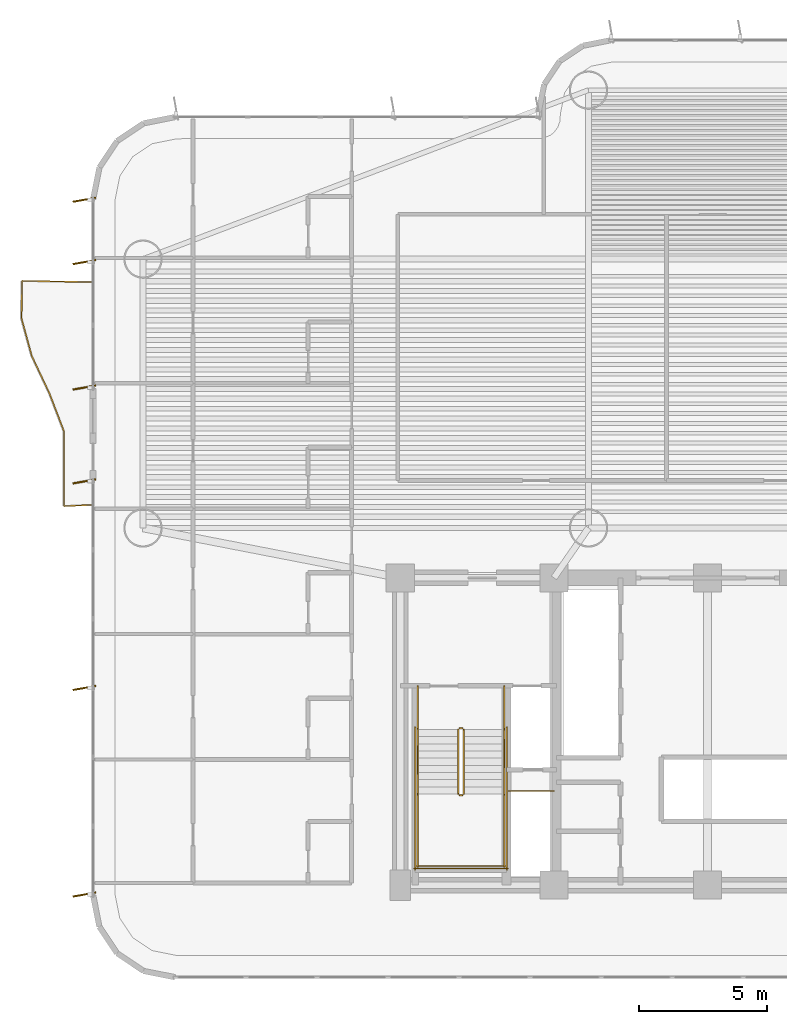
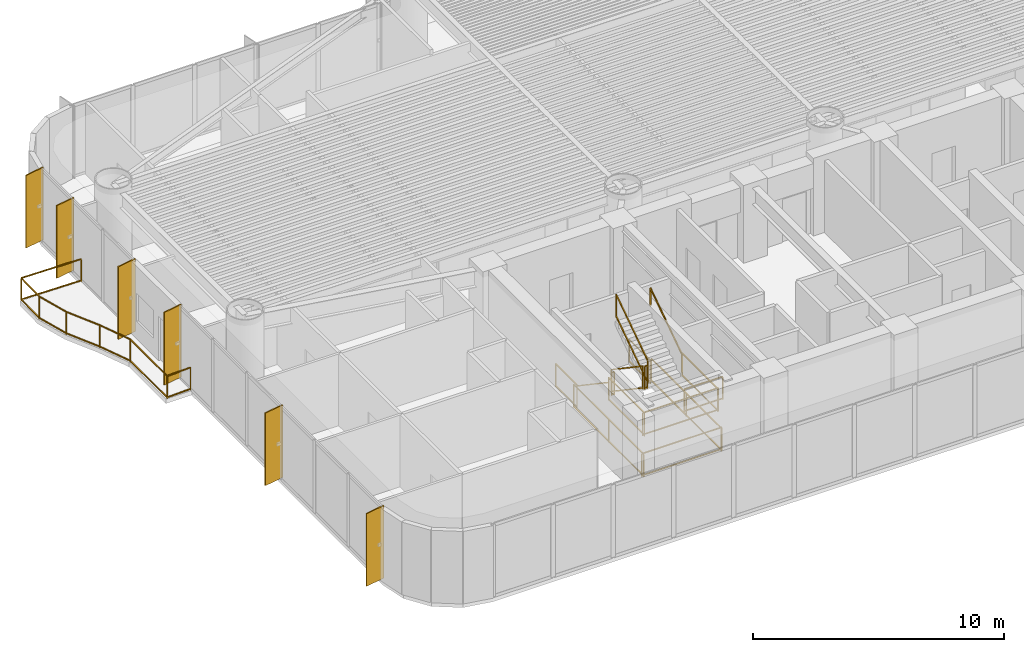
# One storey, part 16 of 19: 16 railings, 6 shading devices.
"""IFC4 building model written with IfcOpenShell, lengths in metres."""

from ifc_helpers import new_model, si_unit, direction, frame, origin, origin_2d, place, context, subcontext, project, spatial, rectangle, extrude, source, transform, mapped, material, layer, layer_set, material_profile, profile_set, type_object, element, save


model = new_model("IFC4")

# Units and contexts
model_context = context("Model", 3, precision=1e-05, world=origin(), true_north=direction((0.0, 1.0)))
body_context = subcontext(model_context, "Body", "Model", "MODEL_VIEW")
ifc_project = project(units=[si_unit("LENGTHUNIT", "METRE"), si_unit("AREAUNIT", "SQUARE_METRE"), si_unit("VOLUMEUNIT", "CUBIC_METRE"), si_unit("PLANEANGLEUNIT", "RADIAN"), si_unit("MASSUNIT", "GRAM", prefix="KILO")], contexts=[model_context])

# Site, building, storey
site_placement = place(None, origin())
site = spatial("IfcSite", under=ifc_project, at=site_placement, CompositionType="ELEMENT")
building_placement = place(site_placement, origin())
building = spatial("IfcBuilding", under=site, at=building_placement, Name="Brelvock Crest Care Tower", CompositionType="ELEMENT")
storey_placement = place(building_placement, frame((0.0, 0.0, 68.580078125)))
storey = spatial("IfcBuildingStorey", under=building, at=storey_placement, Name="L17", CompositionType="ELEMENT", Elevation=68.580078125)

# Railings
ifc_material_1 = material(Name="Dark Glass Double Glazed Low-E", Category="glass")
ifc_layer_1 = layer(ifc_material_1, 0.06005859375, Name="RL-BAL1")
ifc_layer_set_1 = layer_set([ifc_layer_1], Name="Dark Glass Double Glazed Low-E")
railing_type_1 = type_object("IfcRailingType", Name="RL-BAL1", PredefinedType="BALUSTRADE", material=ifc_layer_set_1)
railing_1_placement = place(storey_placement, frame((11.9599609375, 20.85009765625, 0.00390625)))
element("IfcRailing", 1, at=railing_1_placement, inside=storey, type_object=railing_type_1, Name="L17 Safety Balustrade WB-W", PredefinedType="BALUSTRADE", context=body_context, shape_type="SweptSolid", body=[
    extrude(rectangle(XDim=0.048095703125, YDim=0.048095703125, at=origin_2d()), frame((-0.001953125, 0.0, 1.09619140625), z_axis=(-0.998966252902, -0.045457953795, 0.0), x_axis=(0.045457953795, -0.998966252902, 0.0)), (0.0, 0.0, 1.0), 1.096923828125),
    extrude(rectangle(XDim=0.048095703125, YDim=0.048095703125, at=origin_2d()), frame((-0.001953125, 0.0, 0.054931640625), z_axis=(-0.998966252902, -0.045457953795, 0.0), x_axis=(0.045457953795, -0.998966252902, 0.0)), (0.0, 0.0, 1.0), 1.096923828125),
    extrude(rectangle(XDim=0.048095703125, YDim=0.048095703125, at=origin_2d()), frame((-1.099853515625, -0.048095703125, 1.09619140625), z_axis=(0.0, 1.0, 0.0), x_axis=(-1.0, 0.0, 0.0)), (0.0, 0.0, 1.0), 2.929443359375),
    extrude(rectangle(XDim=0.048095703125, YDim=0.048095703125, at=origin_2d()), frame((-1.099853515625, -0.048095703125, 0.054931640625), z_axis=(0.0, 1.0, 0.0), x_axis=(-1.0, 0.0, 0.0)), (0.0, 0.0, 1.0), 2.929443359375),
    extrude(rectangle(XDim=0.048095703125, YDim=0.048095703125, at=origin_2d()), frame((-1.1005859375, 2.88525390625, 1.09619140625), z_axis=(-0.357436663677, 0.933937380909, 0.0), x_axis=(-0.933937380909, -0.357436663677, 0.0)), (0.0, 0.0, 1.0), 1.56640625),
    extrude(rectangle(XDim=0.048095703125, YDim=0.048095703125, at=origin_2d()), frame((-1.1005859375, 2.88525390625, 0.054931640625), z_axis=(-0.357436663677, 0.933937380909, 0.0), x_axis=(-0.933937380909, -0.357436663677, 0.0)), (0.0, 0.0, 1.0), 1.56640625),
    extrude(rectangle(XDim=0.048095703125, YDim=0.048095703125, at=origin_2d()), frame((-1.661865234375, 4.3515625, 1.09619140625), z_axis=(-0.426746449171, 0.904371310978, 0.0), x_axis=(-0.904371310978, -0.426746449171, 0.0)), (0.0, 0.0, 1.0), 1.617919921875),
    extrude(rectangle(XDim=0.048095703125, YDim=0.048095703125, at=origin_2d()), frame((-1.661865234375, 4.3515625, 0.054931640625), z_axis=(-0.426746449171, 0.904371310978, 0.0), x_axis=(-0.904371310978, -0.426746449171, 0.0)), (0.0, 0.0, 1.0), 1.617919921875),
    extrude(rectangle(XDim=0.048095703125, YDim=0.048095703125, at=origin_2d()), frame((-2.353759765625, 5.818603515625, 1.09619140625), z_axis=(-0.263525028953, 0.964652558756, 0.0), x_axis=(-0.964652558756, -0.263525028953, 0.0)), (0.0, 0.0, 1.0), 1.516357421875),
    extrude(rectangle(XDim=0.048095703125, YDim=0.048095703125, at=origin_2d()), frame((-2.353759765625, 5.818603515625, 0.054931640625), z_axis=(-0.263525028953, 0.964652558756, 0.0), x_axis=(-0.964652558756, -0.263525028953, 0.0)), (0.0, 0.0, 1.0), 1.516357421875),
    extrude(rectangle(XDim=0.048095703125, YDim=0.048095703125, at=origin_2d()), frame((-2.75390625, 7.28515625, 1.09619140625), z_axis=(0.013647197663, 0.999906872662, 0.0), x_axis=(-0.999906872662, 0.013647197663, 0.0)), (0.0, 0.0, 1.0), 1.462890625),
    extrude(rectangle(XDim=0.048095703125, YDim=0.048095703125, at=origin_2d()), frame((-2.75390625, 7.28515625, 0.054931640625), z_axis=(0.013647197663, 0.999906872662, 0.0), x_axis=(-0.999906872662, 0.013647197663, 0.0)), (0.0, 0.0, 1.0), 1.462890625),
    extrude(rectangle(XDim=0.048095703125, YDim=0.048095703125, at=origin_2d()), frame((-2.73193359375, 8.75, 1.09619140625), z_axis=(0.999832471903, -0.018303773597, 0.0), x_axis=(0.018303773597, 0.999832471903, 0.0)), (0.0, 0.0, 1.0), 2.730224609375),
    extrude(rectangle(XDim=0.048095703125, YDim=0.048095703125, at=origin_2d()), frame((-2.73193359375, 8.75, 0.054931640625), z_axis=(0.999832471903, -0.018303773597, 0.0), x_axis=(0.018303773597, 0.999832471903, 0.0)), (0.0, 0.0, 1.0), 2.730224609375),
    extrude(rectangle(XDim=0.0419921875, YDim=0.0419921875, at=origin_2d()), origin(), (0.0, 0.0, 1.0), 1.070068359375),
    extrude(rectangle(XDim=0.0419921875, YDim=0.0419921875, at=origin_2d()), frame((-1.099853515625, -0.050048828125, 0.0)), (0.0, 0.0, 1.0), 1.070068359375),
    extrude(rectangle(XDim=0.0419921875, YDim=0.0419921875, at=origin_2d()), frame((-1.099853515625, 2.88330078125, 0.0)), (0.0, 0.0, 1.0), 1.070068359375),
    extrude(rectangle(XDim=0.0419921875, YDim=0.0419921875, at=origin_2d()), frame((-1.6611328125, 4.349853515625, 0.0)), (0.0, 0.0, 1.0), 1.070068359375),
    extrude(rectangle(XDim=0.0419921875, YDim=0.0419921875, at=origin_2d()), frame((-2.353271484375, 5.816650390625, 0.0)), (0.0, 0.0, 1.0), 1.070068359375),
    extrude(rectangle(XDim=0.0419921875, YDim=0.0419921875, at=origin_2d()), frame((-2.75390625, 7.283203125, 0.0)), (0.0, 0.0, 1.0), 1.070068359375),
    extrude(rectangle(XDim=0.0419921875, YDim=0.0419921875, at=origin_2d()), frame((-2.73388671875, 8.75, 0.0)), (0.0, 0.0, 1.0), 1.070068359375),
    extrude(rectangle(XDim=0.0419921875, YDim=0.0419921875, at=origin_2d()), frame((0.0, 8.699951171875, 0.0)), (0.0, 0.0, 1.0), 1.070068359375),
])
ifc_material_2 = material(Name="Steel Grade 350", Category="steel")
ifc_layer_2 = layer(ifc_material_2, 0.050048828125, Name="RL-STG1")
ifc_layer_set_2 = layer_set([ifc_layer_2], Name="Steel Grade 350")
railing_type_2 = type_object("IfcRailingType", Name="RL-STG1", PredefinedType="GUARDRAIL", material=ifc_layer_set_2)
railing_2_placement = place(storey_placement, frame((26.260009765625, 12.080078125, 0.18896484375)))
element("IfcRailing", 2, at=railing_2_placement, inside=storey, type_object=railing_type_2, Name="L17 ST-1 stair guard 1", PredefinedType="GUARDRAIL", context=body_context, shape_type="SweptSolid", body=[
    extrude(rectangle(XDim=0.048095703125, YDim=0.048095703125, at=origin_2d()), frame((0.0, -0.001708984375, 1.116943359375), z_axis=(0.0, -0.828861706735, 0.559453546873), x_axis=(1.0, 0.0, 0.0)), (0.0, 0.0, 1.0), 3.036376953125),
    extrude(rectangle(XDim=0.048095703125, YDim=0.048095703125, at=origin_2d()), frame((0.0, -0.001708984375, 0.05615234375), z_axis=(0.0, -0.828861706735, 0.559453546873), x_axis=(1.0, 0.0, 0.0)), (0.0, 0.0, 1.0), 3.036376953125),
    extrude(rectangle(XDim=0.0419921875, YDim=0.0419921875, at=origin_2d()), origin(), (0.0, 0.0, 1.0), 1.08984375),
    extrude(rectangle(XDim=0.0419921875, YDim=0.0419921875, at=origin_2d()), frame((0.0, -2.52001953125, 1.700927734375)), (0.0, 0.0, 1.0), 1.08984375),
])
railing_3_placement = place(storey_placement, frame((26.31005859375, 9.510009765625, 1.889892578125)))
element("IfcRailing", 3, at=railing_3_placement, inside=storey, type_object=railing_type_2, Name="L17 ST-1 stair guard 2", PredefinedType="GUARDRAIL", context=body_context, shape_type="SweptSolid", body=[
    extrude(rectangle(XDim=0.048095703125, YDim=0.048095703125, at=origin_2d()), frame((0.001953125, 0.0, 1.11572265625), z_axis=(1.0, 0.0, 0.0), x_axis=(0.0, 1.0, 0.0)), (0.0, 0.0, 1.0), 0.115966796875),
    extrude(rectangle(XDim=0.048095703125, YDim=0.048095703125, at=origin_2d()), frame((0.001953125, 0.0, 0.054931640625), z_axis=(1.0, 0.0, 0.0), x_axis=(0.0, 1.0, 0.0)), (0.0, 0.0, 1.0), 0.115966796875),
    extrude(rectangle(XDim=0.0419921875, YDim=0.0419921875, at=origin_2d()), origin(), (0.0, 0.0, 1.0), 1.08984375),
    extrude(rectangle(XDim=0.0419921875, YDim=0.0419921875, at=origin_2d()), frame((0.119873046875, 0.0, 0.0)), (0.0, 0.0, 1.0), 1.08984375),
])
for number, where, name in (
    (4, (24.679931640625, 9.56005859375, 1.889892578125), "L17 ST-1 stair guard 3"),
    (5, (28.06005859375, 9.56005859375, 1.889892578125), "L17 ST-1 stair guard 4"),
):
    element("IfcRailing", number, at=place(storey_placement, frame(where)), inside=storey, type_object=railing_type_2, Name=name, PredefinedType="GUARDRAIL", context=body_context, shape_type="SweptSolid", body=[
        extrude(rectangle(XDim=0.048095703125, YDim=0.048095703125, at=origin_2d()), frame((0.0, -0.001953125, 1.11572265625), z_axis=(0.0, -1.0, 0.0), x_axis=(1.0, 0.0, 0.0)), (0.0, 0.0, 1.0), 2.856201171875),
        extrude(rectangle(XDim=0.048095703125, YDim=0.048095703125, at=origin_2d()), frame((0.0, -0.001953125, 0.054931640625), z_axis=(0.0, -1.0, 0.0), x_axis=(1.0, 0.0, 0.0)), (0.0, 0.0, 1.0), 2.856201171875),
        extrude(rectangle(XDim=0.0419921875, YDim=0.0419921875, at=origin_2d()), origin(), (0.0, 0.0, 1.0), 1.08984375),
        extrude(rectangle(XDim=0.0419921875, YDim=0.0419921875, at=origin_2d()), frame((0.0, -2.860107421875, 0.0)), (0.0, 0.0, 1.0), 1.08984375),
    ])
railing_4_placement = place(storey_placement, frame((24.6298828125, 6.75, 1.889892578125)))
element("IfcRailing", 6, at=railing_4_placement, inside=storey, type_object=railing_type_2, Name="L17 ST-1 stair guard 5", PredefinedType="GUARDRAIL", context=body_context, shape_type="SweptSolid", body=[
    extrude(rectangle(XDim=0.048095703125, YDim=0.048095703125, at=origin_2d()), frame((0.001953125, 0.0, 1.11572265625), z_axis=(1.0, 0.0, 0.0), x_axis=(0.0, 1.0, 0.0)), (0.0, 0.0, 1.0), 3.476318359375),
    extrude(rectangle(XDim=0.048095703125, YDim=0.048095703125, at=origin_2d()), frame((0.001953125, 0.0, 0.054931640625), z_axis=(1.0, 0.0, 0.0), x_axis=(0.0, 1.0, 0.0)), (0.0, 0.0, 1.0), 3.476318359375),
    extrude(rectangle(XDim=0.0419921875, YDim=0.0419921875, at=origin_2d()), origin(), (0.0, 0.0, 1.0), 1.08984375),
    extrude(rectangle(XDim=0.0419921875, YDim=0.0419921875, at=origin_2d()), frame((3.480224609375, 0.0, 0.0)), (0.0, 0.0, 1.0), 1.08984375),
])
railing_5_placement = place(storey_placement, frame((26.47998046875, 9.56005859375, 2.078857421875)))
element("IfcRailing", 7, at=railing_5_placement, inside=storey, type_object=railing_type_2, Name="L17 ST-1 stair guard 6", PredefinedType="GUARDRAIL", context=body_context, shape_type="SweptSolid", body=[
    extrude(rectangle(XDim=0.048095703125, YDim=0.048095703125, at=origin_2d()), frame((0.0, 0.001708984375, 1.116943359375), z_axis=(0.0, 0.82882447046, 0.559508710537), x_axis=(-1.0, 0.0, 0.0)), (0.0, 0.0, 1.0), 3.036376953125),
    extrude(rectangle(XDim=0.048095703125, YDim=0.048095703125, at=origin_2d()), frame((0.0, 0.001708984375, 0.05615234375), z_axis=(0.0, 0.82882447046, 0.559508710537), x_axis=(-1.0, 0.0, 0.0)), (0.0, 0.0, 1.0), 3.036376953125),
    extrude(rectangle(XDim=0.0419921875, YDim=0.0419921875, at=origin_2d()), origin(), (0.0, 0.0, 1.0), 1.08984375),
    extrude(rectangle(XDim=0.0419921875, YDim=0.0419921875, at=origin_2d()), frame((0.0, 2.52001953125, 1.701171875)), (0.0, 0.0, 1.0), 1.08984375),
])
railing_6_placement = place(storey_placement, frame((26.31005859375, 12.1298828125, 0.0)))
element("IfcRailing", 8, at=railing_6_placement, inside=storey, type_object=railing_type_2, Name="L17 ST-1 stair guard 7", PredefinedType="GUARDRAIL", context=body_context, shape_type="SweptSolid", body=[
    extrude(rectangle(XDim=0.048095703125, YDim=0.048095703125, at=origin_2d()), frame((0.001953125, 0.0, 1.11572265625), z_axis=(1.0, 0.0, 0.0), x_axis=(0.0, 1.0, 0.0)), (0.0, 0.0, 1.0), 0.115966796875),
    extrude(rectangle(XDim=0.048095703125, YDim=0.048095703125, at=origin_2d()), frame((0.001953125, 0.0, 0.054931640625), z_axis=(1.0, 0.0, 0.0), x_axis=(0.0, 1.0, 0.0)), (0.0, 0.0, 1.0), 0.115966796875),
    extrude(rectangle(XDim=0.0419921875, YDim=0.0419921875, at=origin_2d()), origin(), (0.0, 0.0, 1.0), 1.08984375),
    extrude(rectangle(XDim=0.0419921875, YDim=0.0419921875, at=origin_2d()), frame((0.119873046875, 0.0, 0.0)), (0.0, 0.0, 1.0), 1.08984375),
])
for number, where, name in (
    (9, (24.679931640625, 13.780029296875, 0.0), "L17 ST-1 stair guard 8"),
    (10, (28.06005859375, 13.780029296875, 0.0), "L17 ST-1 stair guard 9"),
):
    element("IfcRailing", number, at=place(storey_placement, frame(where)), inside=storey, type_object=railing_type_2, Name=name, PredefinedType="GUARDRAIL", context=body_context, shape_type="SweptSolid", body=[
        extrude(rectangle(XDim=0.048095703125, YDim=0.048095703125, at=origin_2d()), frame((0.0, -0.001953125, 1.11572265625), z_axis=(0.0, -1.0, 0.0), x_axis=(1.0, 0.0, 0.0)), (0.0, 0.0, 1.0), 1.696044921875),
        extrude(rectangle(XDim=0.048095703125, YDim=0.048095703125, at=origin_2d()), frame((0.0, -0.001953125, 0.054931640625), z_axis=(0.0, -1.0, 0.0), x_axis=(1.0, 0.0, 0.0)), (0.0, 0.0, 1.0), 1.696044921875),
        extrude(rectangle(XDim=0.0419921875, YDim=0.0419921875, at=origin_2d()), origin(), (0.0, 0.0, 1.0), 1.08984375),
        extrude(rectangle(XDim=0.0419921875, YDim=0.0419921875, at=origin_2d()), frame((0.0, -1.699951171875, 0.0)), (0.0, 0.0, 1.0), 1.08984375),
    ])
for number, where, name in (
    (11, (24.580078125, 12.179931640625, 0.0), "L17 ST-1 stair guard 10"),
    (12, (28.159912109375, 12.179931640625, 0.0), "L17 ST-1 stair guard 11"),
):
    element("IfcRailing", number, at=place(storey_placement, frame(where)), inside=storey, type_object=railing_type_2, Name=name, PredefinedType="GUARDRAIL", context=body_context, shape_type="SweptSolid", body=[
        extrude(rectangle(XDim=0.048095703125, YDim=0.048095703125, at=origin_2d()), frame((0.0, -0.001953125, 1.11572265625), z_axis=(0.0, -1.0, 0.0), x_axis=(1.0, 0.0, 0.0)), (0.0, 0.0, 1.0), 5.575927734375),
        extrude(rectangle(XDim=0.048095703125, YDim=0.048095703125, at=origin_2d()), frame((0.0, -0.001953125, 0.054931640625), z_axis=(0.0, -1.0, 0.0), x_axis=(1.0, 0.0, 0.0)), (0.0, 0.0, 1.0), 5.575927734375),
        extrude(rectangle(XDim=0.0419921875, YDim=0.0419921875, at=origin_2d()), origin(), (0.0, 0.0, 1.0), 1.08984375),
        extrude(rectangle(XDim=0.0419921875, YDim=0.0419921875, at=origin_2d()), frame((0.0, -2.7900390625, 0.0)), (0.0, 0.0, 1.0), 1.08984375),
        extrude(rectangle(XDim=0.0419921875, YDim=0.0419921875, at=origin_2d()), frame((0.0, -5.579833984375, 0.0)), (0.0, 0.0, 1.0), 1.08984375),
    ])
railing_7_placement = place(storey_placement, frame((24.530029296875, 6.64990234375, 0.0)))
element("IfcRailing", 13, at=railing_7_placement, inside=storey, type_object=railing_type_2, Name="L17 ST-1 stair guard 12", PredefinedType="GUARDRAIL", context=body_context, shape_type="SweptSolid", body=[
    extrude(rectangle(XDim=0.048095703125, YDim=0.048095703125, at=origin_2d()), frame((0.001953125, 0.0, 1.11572265625), z_axis=(1.0, 0.0, 0.0), x_axis=(0.0, 1.0, 0.0)), (0.0, 0.0, 1.0), 3.676025390625),
    extrude(rectangle(XDim=0.048095703125, YDim=0.048095703125, at=origin_2d()), frame((0.001953125, 0.0, 0.054931640625), z_axis=(1.0, 0.0, 0.0), x_axis=(0.0, 1.0, 0.0)), (0.0, 0.0, 1.0), 3.676025390625),
    extrude(rectangle(XDim=0.0419921875, YDim=0.0419921875, at=origin_2d()), origin(), (0.0, 0.0, 1.0), 1.08984375),
    extrude(rectangle(XDim=0.0419921875, YDim=0.0419921875, at=origin_2d()), frame((3.679931640625, 0.0, 0.0)), (0.0, 0.0, 1.0), 1.08984375),
])
railing_8_placement = place(storey_placement, frame((28.219970703125, 9.679931640625, 0.0)))
element("IfcRailing", 14, at=railing_8_placement, inside=storey, type_object=railing_type_2, Name="L17 Fire Riser Threshold Guard", PredefinedType="GUARDRAIL", context=body_context, shape_type="SweptSolid", body=[
    extrude(rectangle(XDim=0.048095703125, YDim=0.048095703125, at=origin_2d()), frame((0.001953125, 0.0, 1.11572265625), z_axis=(1.0, 0.0, 0.0), x_axis=(0.0, 1.0, 0.0)), (0.0, 0.0, 1.0), 1.776123046875),
    extrude(rectangle(XDim=0.048095703125, YDim=0.048095703125, at=origin_2d()), frame((0.001953125, 0.0, 0.054931640625), z_axis=(1.0, 0.0, 0.0), x_axis=(0.0, 1.0, 0.0)), (0.0, 0.0, 1.0), 1.776123046875),
    extrude(rectangle(XDim=0.0419921875, YDim=0.0419921875, at=origin_2d()), origin(), (0.0, 0.0, 1.0), 1.08984375),
    extrude(rectangle(XDim=0.0419921875, YDim=0.0419921875, at=origin_2d()), frame((1.780029296875, 0.0, 0.0)), (0.0, 0.0, 1.0), 1.08984375),
])
ifc_layer_3 = layer(ifc_material_2, 0.048095703125, Name="RL-STH1")
ifc_layer_set_3 = layer_set([ifc_layer_3], Name="Steel Grade 350")
railing_type_3 = type_object("IfcRailingType", Name="RL-STH1", PredefinedType="HANDRAIL", material=ifc_layer_set_3)
railing_9_placement = place(storey_placement, frame((24.679931640625, 12.080078125, 0.18896484375)))
element("IfcRailing", 15, at=railing_9_placement, inside=storey, type_object=railing_type_3, Name="L17 ST-1 stair handrail 1", PredefinedType="HANDRAIL", context=body_context, shape_type="SweptSolid", body=[
    extrude(rectangle(XDim=0.048095703125, YDim=0.048095703125, at=origin_2d()), frame((0.0, -0.001708984375, 0.876953125), z_axis=(0.0, -0.828861706735, 0.559453546873), x_axis=(1.0, 0.0, 0.0)), (0.0, 0.0, 1.0), 3.036376953125),
    extrude(rectangle(XDim=0.0419921875, YDim=0.0419921875, at=origin_2d()), origin(), (0.0, 0.0, 1.0), 0.849853515625),
    extrude(rectangle(XDim=0.0419921875, YDim=0.0419921875, at=origin_2d()), frame((0.0, -2.52001953125, 1.700927734375)), (0.0, 0.0, 1.0), 0.849853515625),
])
railing_10_placement = place(storey_placement, frame((28.06005859375, 9.56005859375, 2.078857421875)))
element("IfcRailing", 16, at=railing_10_placement, inside=storey, type_object=railing_type_3, Name="L17 ST-1 stair handrail 2", PredefinedType="HANDRAIL", context=body_context, shape_type="SweptSolid", body=[
    extrude(rectangle(XDim=0.048095703125, YDim=0.048095703125, at=origin_2d()), frame((0.0, 0.001708984375, 0.876953125), z_axis=(0.0, 0.82882447046, 0.559508710537), x_axis=(-1.0, 0.0, 0.0)), (0.0, 0.0, 1.0), 3.036376953125),
    extrude(rectangle(XDim=0.0419921875, YDim=0.0419921875, at=origin_2d()), origin(), (0.0, 0.0, 1.0), 0.849853515625),
    extrude(rectangle(XDim=0.0419921875, YDim=0.0419921875, at=origin_2d()), frame((0.0, 2.52001953125, 1.701171875)), (0.0, 0.0, 1.0), 0.849853515625),
])

# Shading devices
ifc_material_3 = material(Name="Aluminium 6063-T6", Category="aluminium")
ifc_material_profile = material_profile(ifc_material_3, rectangle(XDim=0.054931640625, YDim=0.89990234375, at=origin_2d()), Name="FIN55x900")
ifc_profile_set = profile_set([ifc_material_profile], Name="Aluminium 6063-T6")
shading_device_type = type_object("IfcShadingDeviceType", Name="SHD-FIN1", PredefinedType="USERDEFINED", material=ifc_profile_set)
shared_shape = source(origin(), body_context, "Body", "SweptSolid", [
    extrude(rectangle(XDim=0.054931640625, YDim=0.89990234375, at=origin_2d()), origin(), (0.0, 0.0, 1.0), 3.530029296875),
])
for number, where, z_axis, x_axis, name in (
    (17, (11.659912109375, 5.632568359375, 0.0), (0.0, 0.0, 1.0), (-0.173648177667, 0.984807753012, 0.0), "L17 Vertical Sunshade Fin E13A-01"),
    (18, (11.659912109375, 13.699951171875, 0.0), (0.0, 0.0, 1.0), (-0.173648177667, 0.984807753012, 0.0), "L17 Vertical Sunshade Fin E13A-04"),
    (19, (11.659912109375, 21.767578125, 0.0), (0.0, 0.0, 1.0), (-0.173648177667, 0.984807753012, 0.0), "L17 Vertical Sunshade Fin E13A-07"),
    (20, (11.659912109375, 25.4326171875, 0.0), (0.0, 0.0, 1.0), (-0.173648177667, 0.984807753012, 0.0), "L17 Vertical Sunshade Fin E13B-01"),
    (21, (11.659912109375, 30.333251953125, 0.0), (0.0, 0.0, 1.0), (-0.173648177667, 0.984807753012, 0.0), "L17 Vertical Sunshade Fin E13B-03"),
    (22, (11.659912109375, 32.767578125, 0.0), (0.0, 0.0, 1.0), (-0.173648177667, 0.984807753012, 0.0), "L17 Vertical Sunshade Fin E13B-04"),
):
    element("IfcShadingDevice", number, at=place(storey_placement, frame(where, z_axis=z_axis, x_axis=x_axis)), inside=storey, type_object=shading_device_type, Name=name, ObjectType="FIN", PredefinedType="USERDEFINED", context=body_context, shape_type="MappedRepresentation", body=[
        mapped(shared_shape, transform((0.0, 0.0, 0.0), x_axis=(1.0, 0.0, 0.0), y_axis=(0.0, 1.0, 0.0), z_axis=(0.0, 0.0, 1.0), scale=1.0)),
    ])

save(model, "model.ifc")
